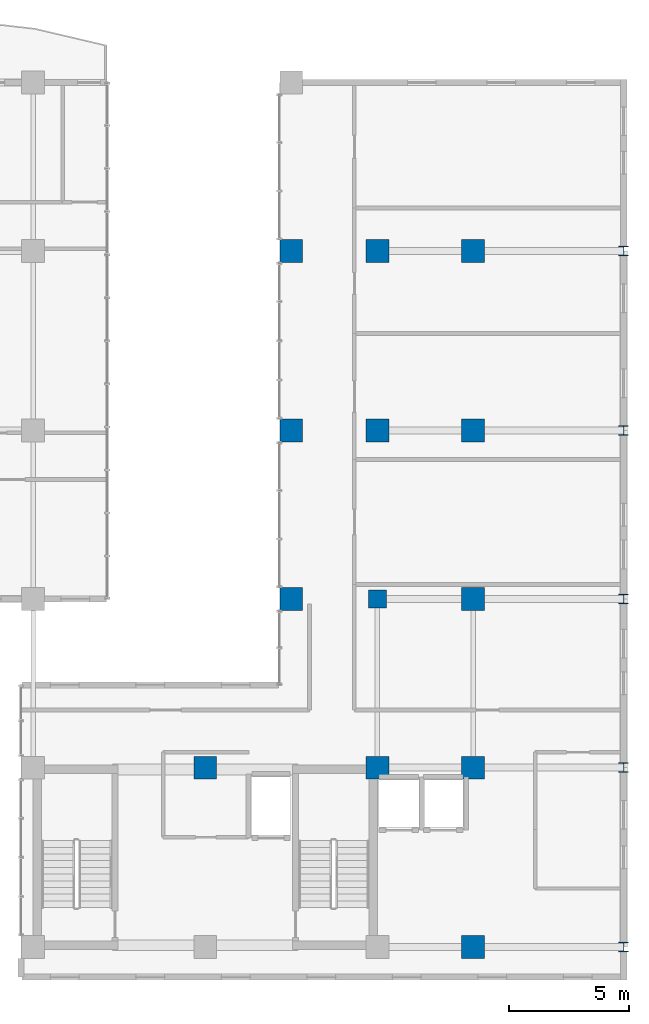
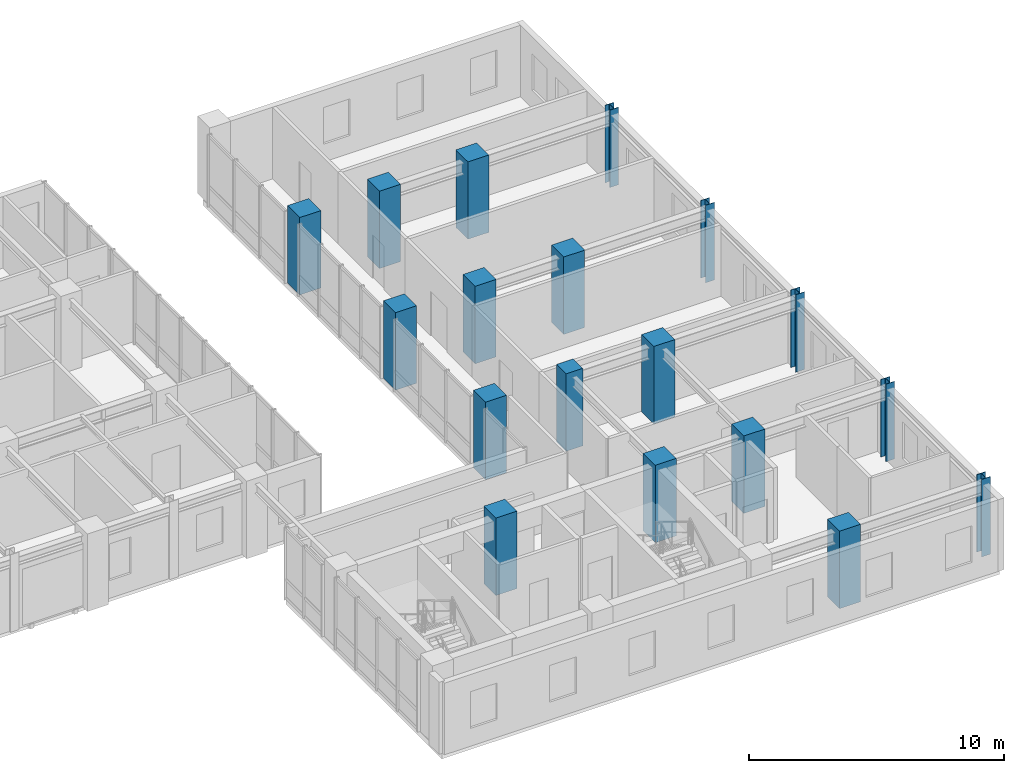
# One storey, part 2 of 24: 18 columns.
"""IFC4 building model written with IfcOpenShell, lengths in metres."""

from ifc_helpers import new_model, si_unit, direction, frame, origin, origin_2d, place, context, subcontext, project, spatial, rectangle, i_section, extrude, source, transform, mapped, material, material_profile, profile_set, type_object, element, save


model = new_model("IFC4")

# Units and contexts
model_context = context("Model", 3, precision=1e-05, world=origin(), true_north=direction((0.0, 1.0)))
body_context = subcontext(model_context, "Body", "Model", "MODEL_VIEW")
ifc_project = project(units=[si_unit("LENGTHUNIT", "METRE"), si_unit("AREAUNIT", "SQUARE_METRE"), si_unit("VOLUMEUNIT", "CUBIC_METRE"), si_unit("PLANEANGLEUNIT", "RADIAN"), si_unit("MASSUNIT", "GRAM", prefix="KILO")], contexts=[model_context])

# Site, building, storey
site_placement = place(None, origin())
site = spatial("IfcSite", under=ifc_project, at=site_placement, CompositionType="ELEMENT")
building_placement = place(site_placement, origin())
building = spatial("IfcBuilding", under=site, at=building_placement, Name="Kaliganga Portal Commons", CompositionType="ELEMENT")
storey_placement = place(building_placement, frame((0.0, 0.0, 235.10009765625)))
storey = spatial("IfcBuildingStorey", under=building, at=storey_placement, Name="L60", CompositionType="ELEMENT", Elevation=235.10009765625)

# Columns
ifc_material_1 = material(Name="Concrete C60/75", Category="concrete")
ifc_material_profile_1 = material_profile(ifc_material_1, rectangle(XDim=0.75, YDim=0.75, at=origin_2d()), Name="RC 750x750")
ifc_profile_set_1 = profile_set([ifc_material_profile_1], Name="Concrete C60/75")
column_type_1 = type_object("IfcColumnType", Name="COL-PILASTER-RC", PredefinedType="PILASTER", material=ifc_profile_set_1)
shared_shape_1 = source(origin(), body_context, "Body", "SweptSolid", [
    extrude(rectangle(XDim=0.75, YDim=0.75, at=origin_2d()), origin(), (0.0, 0.0, 1.0), 3.699951171875),
])
column_placement = place(storey_placement, frame((50.39990234375, 21.60009765625, 0.0), z_axis=(0.0, 0.0, 1.0), x_axis=(1.0, 0.0, 0.0)))
element("IfcColumn", 1, at=column_placement, inside=storey, type_object=column_type_1, Name="Column CP-01 L60", PredefinedType="PILASTER", context=body_context, shape_type="MappedRepresentation", body=[
    mapped(shared_shape_1, transform((0.0, 0.0, 0.0), x_axis=(1.0, 0.0, 0.0), y_axis=(0.0, 1.0, 0.0), z_axis=(0.0, 0.0, 1.0), scale=1.0)),
])
ifc_material_2 = material(Name="Concrete C50/60", Category="concrete")
ifc_material_profile_2 = material_profile(ifc_material_2, rectangle(XDim=0.949951171875, YDim=0.949951171875, at=origin_2d()), Name="RC 950x950")
ifc_profile_set_2 = profile_set([ifc_material_profile_2], Name="Concrete C50/60")
column_type_2 = type_object("IfcColumnType", Name="COL-MEGA-Z4", PredefinedType="COLUMN", material=ifc_profile_set_2)
shared_shape_2 = source(origin(), body_context, "Body", "SweptSolid", [
    extrude(rectangle(XDim=0.949951171875, YDim=0.949951171875, at=origin_2d()), origin(), (0.0, 0.0, 1.0), 3.699951171875),
])
for number, where, z_axis, x_axis, name in (
    (2, (46.800048828125, 21.60009765625, 0.0), (0.0, 0.0, 1.0), (1.0, 0.0, 0.0), "Column MC-05 L60"),
    (3, (46.800048828125, 28.64990234375, 0.0), (0.0, 0.0, 1.0), (1.0, 0.0, 0.0), "Column MC-05 L60"),
    (4, (46.800048828125, 36.14990234375, 0.0), (0.0, 0.0, 1.0), (1.0, 0.0, 0.0), "Column MC-05 L60"),
    (5, (43.199951171875, 14.550048828125, 0.0), (0.0, 0.0, 1.0), (1.0, 0.0, 0.0), "Column MC-05 L60"),
    (6, (50.39990234375, 14.550048828125, 0.0), (0.0, 0.0, 1.0), (1.0, 0.0, 0.0), "Column MC-05 L60"),
    (7, (50.39990234375, 28.64990234375, 0.0), (0.0, 0.0, 1.0), (1.0, 0.0, 0.0), "Column MC-05 L60"),
    (8, (50.39990234375, 36.14990234375, 0.0), (0.0, 0.0, 1.0), (1.0, 0.0, 0.0), "Column MC-05 L60"),
    (9, (54.39990234375, 7.050048828125, 0.0), (0.0, 0.0, 1.0), (1.0, 0.0, 0.0), "Column MC-05 L60"),
    (10, (54.39990234375, 14.550048828125, 0.0), (0.0, 0.0, 1.0), (1.0, 0.0, 0.0), "Column MC-05 L60"),
    (11, (54.39990234375, 21.60009765625, 0.0), (0.0, 0.0, 1.0), (1.0, 0.0, 0.0), "Column MC-05 L60"),
    (12, (54.39990234375, 28.64990234375, 0.0), (0.0, 0.0, 1.0), (1.0, 0.0, 0.0), "Column MC-05 L60"),
    (13, (54.39990234375, 36.14990234375, 0.0), (0.0, 0.0, 1.0), (1.0, 0.0, 0.0), "Column MC-05 L60"),
):
    element("IfcColumn", number, at=place(storey_placement, frame(where, z_axis=z_axis, x_axis=x_axis)), inside=storey, type_object=column_type_2, Name=name, PredefinedType="COLUMN", context=body_context, shape_type="MappedRepresentation", body=[
        mapped(shared_shape_2, transform((0.0, 0.0, 0.0), x_axis=(1.0, 0.0, 0.0), y_axis=(0.0, 1.0, 0.0), z_axis=(0.0, 0.0, 1.0), scale=1.0)),
    ])
ifc_material_3 = material(Name="Structural steel S355J2", Category="steel")
ifc_material_profile_3 = material_profile(ifc_material_3, i_section(OverallWidth=0.39892578125, OverallDepth=0.39990234375, WebThickness=0.017333984375, FlangeThickness=0.0234375, FilletRadius=0.014892578125, at=origin_2d()), Name="HD 400x287")
ifc_profile_set_3 = profile_set([ifc_material_profile_3], Name="Structural steel S355J2 wide-flange")
column_type_3 = type_object("IfcColumnType", Name="COL-TUBE-B4", PredefinedType="COLUMN", material=ifc_profile_set_3)
shared_shape_3 = source(origin(), body_context, "Body", "SweptSolid", [
    extrude(i_section(OverallWidth=0.39892578125, OverallDepth=0.39990234375, WebThickness=0.017333984375, FlangeThickness=0.0234375, FilletRadius=0.014892578125, at=origin_2d()), origin(), (0.0, 0.0, 1.0), 3.699951171875),
])
for number, where, z_axis, x_axis, name in (
    (14, (60.699951171875, 7.050048828125, 0.0), (0.0, 0.0, 1.0), (1.0, 0.0, 0.0), "Column TC-04 L60"),
    (15, (60.699951171875, 14.550048828125, 0.0), (0.0, 0.0, 1.0), (1.0, 0.0, 0.0), "Column TC-04 L60"),
    (16, (60.699951171875, 21.60009765625, 0.0), (0.0, 0.0, 1.0), (1.0, 0.0, 0.0), "Column TC-04 L60"),
    (17, (60.699951171875, 28.64990234375, 0.0), (0.0, 0.0, 1.0), (1.0, 0.0, 0.0), "Column TC-04 L60"),
    (18, (60.699951171875, 36.14990234375, 0.0), (0.0, 0.0, 1.0), (1.0, 0.0, 0.0), "Column TC-04 L60"),
):
    element("IfcColumn", number, at=place(storey_placement, frame(where, z_axis=z_axis, x_axis=x_axis)), inside=storey, type_object=column_type_3, Name=name, PredefinedType="COLUMN", context=body_context, shape_type="MappedRepresentation", body=[
        mapped(shared_shape_3, transform((0.0, 0.0, 0.0), x_axis=(1.0, 0.0, 0.0), y_axis=(0.0, 1.0, 0.0), z_axis=(0.0, 0.0, 1.0), scale=1.0)),
    ])

save(model, "model.ifc")
